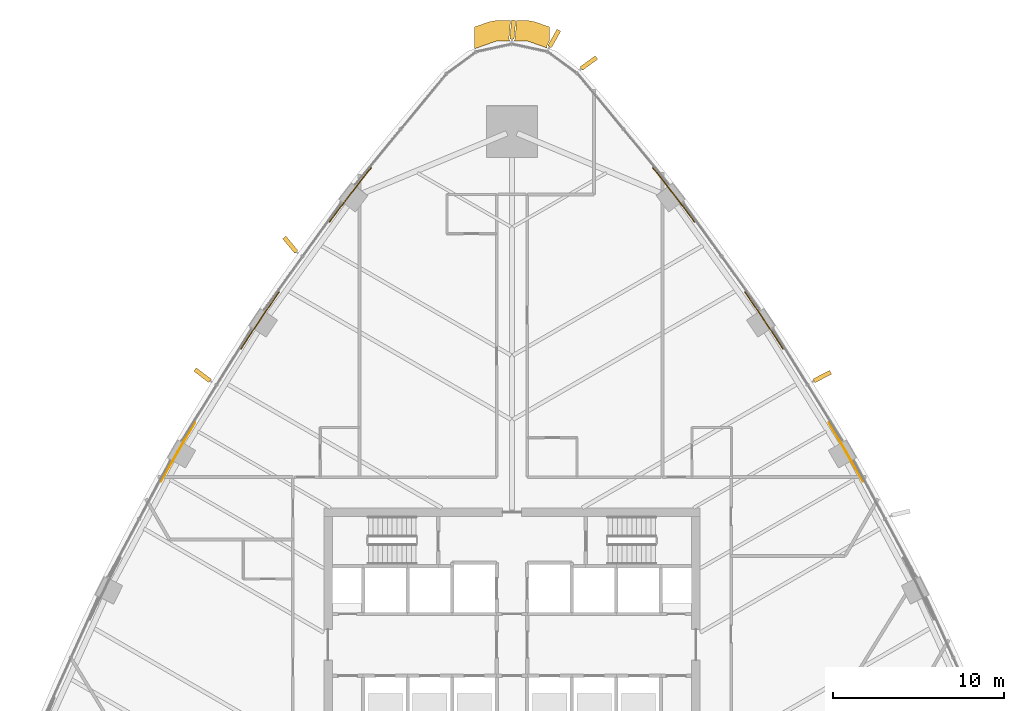
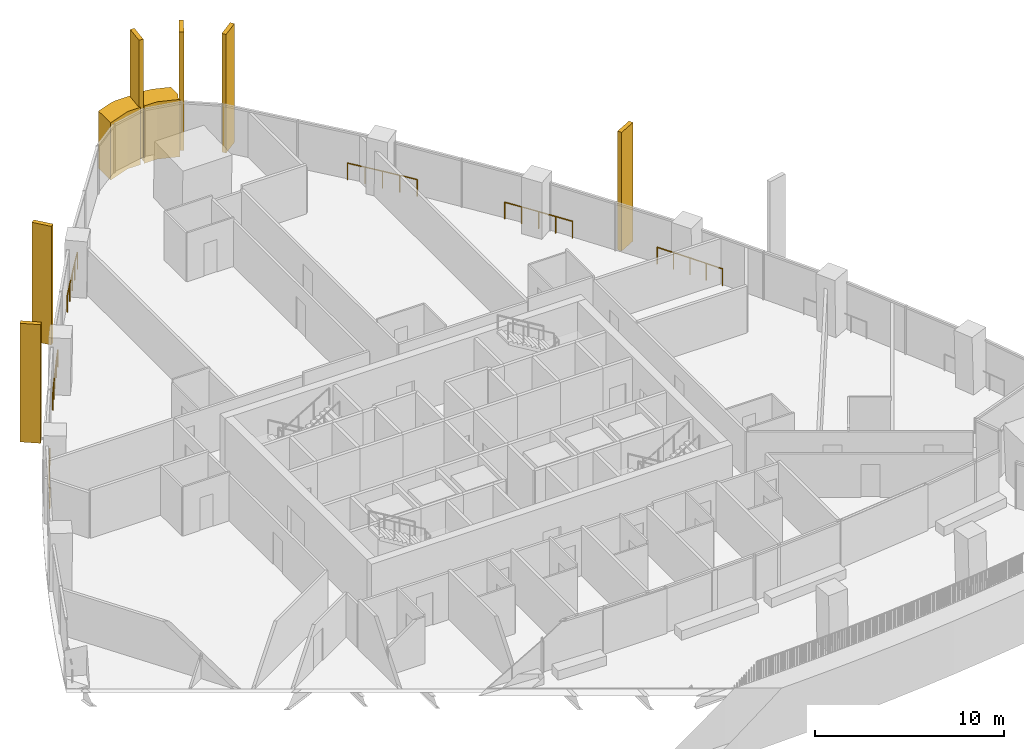
# One storey, part 24 of 25: 8 coverings, 6 railings.
"""IFC4 building model written with IfcOpenShell, lengths in metres."""

from ifc_helpers import new_model, si_unit, direction, frame, origin, origin_2d, place, context, subcontext, project, spatial, polyline, rectangle, circle, outline, extrude, material, layer, layer_set, material_profile, profile_set, type_object, element, save


model = new_model("IFC4")

# Units and contexts
model_context = context("Model", 3, precision=1e-05, world=origin(), true_north=direction((0.0, 1.0)))
body_context = subcontext(model_context, "Body", "Model", "MODEL_VIEW")
ifc_project = project(units=[si_unit("LENGTHUNIT", "METRE"), si_unit("AREAUNIT", "SQUARE_METRE"), si_unit("VOLUMEUNIT", "CUBIC_METRE"), si_unit("PLANEANGLEUNIT", "RADIAN"), si_unit("MASSUNIT", "GRAM", prefix="KILO")], contexts=[model_context])

# Site, building, storey
site_placement = place(None, origin())
site = spatial("IfcSite", under=ifc_project, at=site_placement, CompositionType="ELEMENT")
building_placement = place(site_placement, origin())
building = spatial("IfcBuilding", under=site, at=building_placement, Name="Sierra Prisma Convention Tower", CompositionType="ELEMENT")
storey_placement = place(building_placement, frame((0.0, 0.0, 88.699951171875)))
storey = spatial("IfcBuildingStorey", under=building, at=storey_placement, Name="L18", CompositionType="ELEMENT", Elevation=88.699951171875)

# Coverings
ifc_material_1 = material(Name="Aluminium composite bronze anodised", Category="aluminium")
ifc_layer = layer(ifc_material_1, 1.199951171875)
ifc_layer_set = layer_set([ifc_layer], Name="Bronze corner pier")
covering_type_1 = type_object("IfcCoveringType", Name="Bronze corner pier", PredefinedType="CLADDING", material=ifc_layer_set)
covering_1_placement = place(storey_placement, frame((0.0, 0.0, -0.599853515625)))
element("IfcCovering", 1, at=covering_1_placement, inside=storey, type_object=covering_type_1, Name="Corner pier N L18.1", PredefinedType="CLADDING", context=body_context, shape_type="SweptSolid", body=[
    extrude(outline(polyline([(2.040283203125, 35.02392578125), (2.0400390625, 35.019287109375), (2.0400390625, 35.0146484375), (2.040283203125, 35.010009765625), (2.05859375, 34.877685546875), (0.901611328125, 35.285888671875), (0.110595703125, 35.285888671875), (0.165771484375, 35.36669921875), (0.16845703125, 35.37109375), (0.170654296875, 35.375732421875), (0.17236328125, 35.380615234375), (0.173583984375, 35.385498046875), (0.17431640625, 35.390625), (0.270263671875, 36.48583984375), (0.901611328125, 36.48583984375), (1.301025390625, 36.41748046875), (2.199951171875, 36.100341796875), (2.199951171875, 35.313720703125), (2.04638671875, 35.04150390625), (2.044189453125, 35.037353515625), (2.04248046875, 35.032958984375), (2.041259765625, 35.028564453125), (2.040283203125, 35.02392578125)])), origin(), (0.0, 0.0, 1.0), 3.699951171875),
])
covering_2_placement = place(storey_placement, frame((0.0, 0.0, -0.599853515625)))
element("IfcCovering", 2, at=covering_2_placement, inside=storey, type_object=covering_type_1, Name="Corner pier N L18.2", PredefinedType="CLADDING", context=body_context, shape_type="SweptSolid", body=[
    extrude(outline(polyline([(-0.901611328125, 36.48583984375), (-0.081298828125, 36.48583984375), (-0.17431640625, 35.421142578125), (-0.174560546875, 35.416015625), (-0.17431640625, 35.4111328125), (-0.17333984375, 35.406005859375), (-0.172119140625, 35.401123046875), (-0.170166015625, 35.396484375), (-0.16796875, 35.39208984375), (-0.107421875, 35.285888671875), (-0.901611328125, 35.285888671875), (-2.199951171875, 34.827880859375), (-2.199951171875, 36.100341796875), (-1.301025390625, 36.41748046875), (-0.901611328125, 36.48583984375)])), origin(), (0.0, 0.0, 1.0), 3.699951171875),
])
ifc_material_2 = material(Name="Aluminium 6063-T6 bronze anodised", Category="aluminium")
ifc_material_profile = material_profile(ifc_material_2, rectangle(XDim=1.10009765625, YDim=0.25, at=origin_2d()), Name="ALU FIN 1100x250")
ifc_profile_set = profile_set([ifc_material_profile], Name="Aluminium 6063-T6 bronze anodised")
covering_type_2 = type_object("IfcCoveringType", Name="Bronze facade fin", PredefinedType="CLADDING", material=ifc_profile_set)
for number, where, z_axis, x_axis, name in (
    (3, (18.134033203125, 15.67578125, -0.300048828125), (0.0, 0.0, 1.0), (0.890699837052, 0.454591905202, 0.0), "Fin L18.10"),
    (4, (4.493408203125, 33.998291015625, -0.300048828125), (0.0, 0.0, 1.0), (0.807647460398, 0.589665650782, 0.0), "Fin L18.17"),
    (5, (2.468994140625, 35.4345703125, -0.300048828125), (0.0, 0.0, 1.0), (0.491410886801, 0.870927861728, 0.0), "Fin L18.18"),
    (6, (0.0478515625, 35.953857421875, -0.300048828125), (0.0, 0.0, 1.0), (0.087155742748, 0.996194698092, 0.0), "Fin L18.19"),
    (7, (-12.95556640625, 23.382568359375, -0.300048828125), (0.0, 0.0, 1.0), (-0.638760198202, 0.769405880659, 0.0), "Fin L18.25"),
    (8, (-18.083251953125, 15.7568359375, -0.300048828125), (0.0, 0.0, 1.0), (-0.798229049215, 0.602354036252, 0.0), "Fin L18.28"),
):
    element("IfcCovering", number, at=place(storey_placement, frame(where, z_axis=z_axis, x_axis=x_axis)), inside=storey, type_object=covering_type_2, Name=name, ObjectType="FIN", PredefinedType="CLADDING", context=body_context, shape_type="SweptSolid", body=[
        extrude(rectangle(XDim=1.10009765625, YDim=0.25, at=origin_2d()), origin(), (0.0, 0.0, 1.0), 7.650146484375),
    ])

# Railings
ifc_material_3 = material(Name="Bronze anodised aluminium", Category="aluminium")
railing_type = type_object("IfcRailingType", Name="Facade guard 1100", PredefinedType="GUARDRAIL", material=ifc_material_3)
railing_1_placement = place(storey_placement, frame((20.515625, 9.53857421875, 0.0)))
element("IfcRailing", 9, at=railing_1_placement, inside=storey, type_object=railing_type, Name="Facade guard", PredefinedType="GUARDRAIL", context=body_context, shape_type="SweptSolid", body=[
    extrude(circle(Radius=0.02392578125, at=origin_2d()), frame((0.0, 0.0, 1.076171875), z_axis=(-0.493018760773, 0.870018678837, 0.0), x_axis=(-0.870018678837, -0.493018760773, 0.0)), (0.0, 0.0, 1.0), 0.995361328125),
    extrude(circle(Radius=0.02392578125, at=origin_2d()), frame((-0.49072265625, 0.865966796875, 1.076171875), z_axis=(-0.49397576247, 0.869475673088, 0.0), x_axis=(-0.869475673088, -0.49397576247, 0.0)), (0.0, 0.0, 1.0), 0.997314453125),
    extrude(circle(Radius=0.02392578125, at=origin_2d()), frame((-0.9833984375, 1.733154296875, 1.076171875), z_axis=(-0.506153056556, 0.862443669661, 0.0), x_axis=(-0.862443669661, -0.506153056556, 0.0)), (0.0, 0.0, 1.0), 0.9970703125),
    extrude(circle(Radius=0.02392578125, at=origin_2d()), frame((-1.488037109375, 2.593017578125, 1.076171875), z_axis=(-0.506612850258, 0.862173659974, 0.0), x_axis=(-0.862173659974, -0.506612850258, 0.0)), (0.0, 0.0, 1.0), 0.99560546875),
    extrude(circle(Radius=0.02099609375, at=origin_2d()), origin(), (0.0, 0.0, 1.0), 1.052001953125),
    extrude(circle(Radius=0.02099609375, at=origin_2d()), frame((-0.49072265625, 0.865966796875, 0.0)), (0.0, 0.0, 1.0), 1.052001953125),
    extrude(circle(Radius=0.02099609375, at=origin_2d()), frame((-0.9833984375, 1.733154296875, 0.0)), (0.0, 0.0, 1.0), 1.052001953125),
    extrude(circle(Radius=0.02099609375, at=origin_2d()), frame((-1.488037109375, 2.593017578125, 0.0)), (0.0, 0.0, 1.0), 1.052001953125),
    extrude(circle(Radius=0.02099609375, at=origin_2d()), frame((-1.992431640625, 3.451416015625, 0.0)), (0.0, 0.0, 1.0), 1.052001953125),
])
railing_2_placement = place(storey_placement, frame((15.84228515625, 17.29150390625, 0.0)))
element("IfcRailing", 10, at=railing_2_placement, inside=storey, type_object=railing_type, Name="Facade guard", PredefinedType="GUARDRAIL", context=body_context, shape_type="SweptSolid", body=[
    extrude(circle(Radius=0.02392578125, at=origin_2d()), frame((0.0, 0.0, 1.076171875), z_axis=(-0.545885701249, 0.837859654818, 0.0), x_axis=(-0.837859654818, -0.545885701249, 0.0)), (0.0, 0.0, 1.0), 0.994140625),
    extrude(circle(Radius=0.02392578125, at=origin_2d()), frame((-0.542724609375, 0.8330078125, 1.076171875), z_axis=(-0.554531137585, 0.832162975293, 0.0), x_axis=(-0.832162975293, -0.554531137585, 0.0)), (0.0, 0.0, 1.0), 0.999755859375),
    extrude(circle(Radius=0.02392578125, at=origin_2d()), frame((-1.09716796875, 1.6650390625, 1.076171875), z_axis=(-0.558490079828, 0.829511199885, 0.0), x_axis=(-0.829511199885, -0.558490079828, 0.0)), (0.0, 0.0, 1.0), 0.994384765625),
    extrude(circle(Radius=0.02392578125, at=origin_2d()), frame((-1.652587890625, 2.489990234375, 1.076171875), z_axis=(-0.56619719149, 0.824269822539, 0.0), x_axis=(-0.824269822539, -0.56619719149, 0.0)), (0.0, 0.0, 1.0), 1.0),
    extrude(circle(Radius=0.02099609375, at=origin_2d()), origin(), (0.0, 0.0, 1.0), 1.052001953125),
    extrude(circle(Radius=0.02099609375, at=origin_2d()), frame((-0.542724609375, 0.8330078125, 0.0)), (0.0, 0.0, 1.0), 1.052001953125),
    extrude(circle(Radius=0.02099609375, at=origin_2d()), frame((-1.09716796875, 1.6650390625, 0.0)), (0.0, 0.0, 1.0), 1.052001953125),
    extrude(circle(Radius=0.02099609375, at=origin_2d()), frame((-1.652587890625, 2.489990234375, 0.0)), (0.0, 0.0, 1.0), 1.052001953125),
    extrude(circle(Radius=0.02099609375, at=origin_2d()), frame((-2.21875, 3.314208984375, 0.0)), (0.0, 0.0, 1.0), 1.052001953125),
])
railing_3_placement = place(storey_placement, frame((10.66796875, 24.717529296875, 0.0)))
element("IfcRailing", 11, at=railing_3_placement, inside=storey, type_object=railing_type, Name="Facade guard", PredefinedType="GUARDRAIL", context=body_context, shape_type="SweptSolid", body=[
    extrude(circle(Radius=0.02392578125, at=origin_2d()), frame((0.0, 0.0, 1.076171875), z_axis=(-0.601015041591, 0.799237711686, 0.0), x_axis=(-0.799237711686, -0.601015041591, 0.0)), (0.0, 0.0, 1.0), 1.0),
    extrude(circle(Radius=0.02392578125, at=origin_2d()), frame((-0.60107421875, 0.79931640625, 1.076171875), z_axis=(-0.608024189866, 0.793918499934, 0.0), x_axis=(-0.793918499934, -0.608024189866, 0.0)), (0.0, 0.0, 1.0), 0.994140625),
    extrude(circle(Radius=0.02392578125, at=origin_2d()), frame((-1.20556640625, 1.588623046875, 1.076171875), z_axis=(-0.612232273632, 0.790677964233, 0.0), x_axis=(-0.790677964233, -0.612232273632, 0.0)), (0.0, 0.0, 1.0), 1.0),
    extrude(circle(Radius=0.02392578125, at=origin_2d()), frame((-1.81787109375, 2.37939453125, 1.076171875), z_axis=(-0.620193423289, 0.784448926132, 0.0), x_axis=(-0.784448926132, -0.620193423289, 0.0)), (0.0, 0.0, 1.0), 0.994384765625),
    extrude(circle(Radius=0.02099609375, at=origin_2d()), origin(), (0.0, 0.0, 1.0), 1.052001953125),
    extrude(circle(Radius=0.02099609375, at=origin_2d()), frame((-0.60107421875, 0.79931640625, 0.0)), (0.0, 0.0, 1.0), 1.052001953125),
    extrude(circle(Radius=0.02099609375, at=origin_2d()), frame((-1.20556640625, 1.588623046875, 0.0)), (0.0, 0.0, 1.0), 1.052001953125),
    extrude(circle(Radius=0.02099609375, at=origin_2d()), frame((-1.81787109375, 2.37939453125, 0.0)), (0.0, 0.0, 1.0), 1.052001953125),
    extrude(circle(Radius=0.02099609375, at=origin_2d()), frame((-2.4345703125, 3.159423828125, 0.0)), (0.0, 0.0, 1.0), 1.052001953125),
])
railing_4_placement = place(storey_placement, frame((-8.2333984375, 27.876953125, 0.0)))
element("IfcRailing", 12, at=railing_4_placement, inside=storey, type_object=railing_type, Name="Facade guard", PredefinedType="GUARDRAIL", context=body_context, shape_type="SweptSolid", body=[
    extrude(circle(Radius=0.02392578125, at=origin_2d()), frame((0.0, 0.0, 1.076171875), z_axis=(-0.620193423289, -0.784448926132, 0.0), x_axis=(0.784448926132, -0.620193423289, 0.0)), (0.0, 0.0, 1.0), 0.994384765625),
    extrude(circle(Radius=0.02392578125, at=origin_2d()), frame((-0.61669921875, -0.780029296875, 1.076171875), z_axis=(-0.612232273632, -0.790677964233, 0.0), x_axis=(0.790677964233, -0.612232273632, 0.0)), (0.0, 0.0, 1.0), 1.0),
    extrude(circle(Radius=0.02392578125, at=origin_2d()), frame((-1.22900390625, -1.57080078125, 1.076171875), z_axis=(-0.608024189866, -0.793918499934, 0.0), x_axis=(0.793918499934, -0.608024189866, 0.0)), (0.0, 0.0, 1.0), 0.994140625),
    extrude(circle(Radius=0.02392578125, at=origin_2d()), frame((-1.83349609375, -2.360107421875, 1.076171875), z_axis=(-0.601015041591, -0.799237711686, 0.0), x_axis=(0.799237711686, -0.601015041591, 0.0)), (0.0, 0.0, 1.0), 1.0),
    extrude(circle(Radius=0.02099609375, at=origin_2d()), origin(), (0.0, 0.0, 1.0), 1.052001953125),
    extrude(circle(Radius=0.02099609375, at=origin_2d()), frame((-0.61669921875, -0.780029296875, 0.0)), (0.0, 0.0, 1.0), 1.052001953125),
    extrude(circle(Radius=0.02099609375, at=origin_2d()), frame((-1.22900390625, -1.57080078125, 0.0)), (0.0, 0.0, 1.0), 1.052001953125),
    extrude(circle(Radius=0.02099609375, at=origin_2d()), frame((-1.83349609375, -2.360107421875, 0.0)), (0.0, 0.0, 1.0), 1.052001953125),
    extrude(circle(Radius=0.02099609375, at=origin_2d()), frame((-2.4345703125, -3.159423828125, 0.0)), (0.0, 0.0, 1.0), 1.052001953125),
])
railing_5_placement = place(storey_placement, frame((-13.62353515625, 20.605712890625, 0.0)))
element("IfcRailing", 13, at=railing_5_placement, inside=storey, type_object=railing_type, Name="Facade guard", PredefinedType="GUARDRAIL", context=body_context, shape_type="SweptSolid", body=[
    extrude(circle(Radius=0.02392578125, at=origin_2d()), frame((0.0, 0.0, 1.076171875), z_axis=(-0.56619719149, -0.824269822539, 0.0), x_axis=(0.824269822539, -0.56619719149, 0.0)), (0.0, 0.0, 1.0), 1.0),
    extrude(circle(Radius=0.02392578125, at=origin_2d()), frame((-0.566162109375, -0.82421875, 1.076171875), z_axis=(-0.558490079828, -0.829511199885, 0.0), x_axis=(0.829511199885, -0.558490079828, 0.0)), (0.0, 0.0, 1.0), 0.994384765625),
    extrude(circle(Radius=0.02392578125, at=origin_2d()), frame((-1.12158203125, -1.649169921875, 1.076171875), z_axis=(-0.554531137585, -0.832162975293, 0.0), x_axis=(0.832162975293, -0.554531137585, 0.0)), (0.0, 0.0, 1.0), 0.999755859375),
    extrude(circle(Radius=0.02392578125, at=origin_2d()), frame((-1.676025390625, -2.481201171875, 1.076171875), z_axis=(-0.545885701249, -0.837859654818, 0.0), x_axis=(0.837859654818, -0.545885701249, 0.0)), (0.0, 0.0, 1.0), 0.994140625),
    extrude(circle(Radius=0.02099609375, at=origin_2d()), origin(), (0.0, 0.0, 1.0), 1.052001953125),
    extrude(circle(Radius=0.02099609375, at=origin_2d()), frame((-0.566162109375, -0.82421875, 0.0)), (0.0, 0.0, 1.0), 1.052001953125),
    extrude(circle(Radius=0.02099609375, at=origin_2d()), frame((-1.12158203125, -1.649169921875, 0.0)), (0.0, 0.0, 1.0), 1.052001953125),
    extrude(circle(Radius=0.02099609375, at=origin_2d()), frame((-1.676025390625, -2.481201171875, 0.0)), (0.0, 0.0, 1.0), 1.052001953125),
    extrude(circle(Radius=0.02099609375, at=origin_2d()), frame((-2.21875, -3.314208984375, 0.0)), (0.0, 0.0, 1.0), 1.052001953125),
])
railing_6_placement = place(storey_placement, frame((-18.523193359375, 12.989990234375, 0.0)))
element("IfcRailing", 14, at=railing_6_placement, inside=storey, type_object=railing_type, Name="Facade guard", PredefinedType="GUARDRAIL", context=body_context, shape_type="SweptSolid", body=[
    extrude(circle(Radius=0.02392578125, at=origin_2d()), frame((0.0, 0.0, 1.076171875), z_axis=(-0.506612850258, -0.862173659974, 0.0), x_axis=(0.862173659974, -0.506612850258, 0.0)), (0.0, 0.0, 1.0), 0.99560546875),
    extrude(circle(Radius=0.02392578125, at=origin_2d()), frame((-0.50439453125, -0.8583984375, 1.076171875), z_axis=(-0.506153056556, -0.862443669661, 0.0), x_axis=(0.862443669661, -0.506153056556, 0.0)), (0.0, 0.0, 1.0), 0.9970703125),
    extrude(circle(Radius=0.02392578125, at=origin_2d()), frame((-1.009033203125, -1.71826171875, 1.076171875), z_axis=(-0.49397576247, -0.869475673088, 0.0), x_axis=(0.869475673088, -0.49397576247, 0.0)), (0.0, 0.0, 1.0), 0.997314453125),
    extrude(circle(Radius=0.02392578125, at=origin_2d()), frame((-1.501708984375, -2.58544921875, 1.076171875), z_axis=(-0.493018760773, -0.870018678837, 0.0), x_axis=(0.870018678837, -0.493018760773, 0.0)), (0.0, 0.0, 1.0), 0.995361328125),
    extrude(circle(Radius=0.02099609375, at=origin_2d()), origin(), (0.0, 0.0, 1.0), 1.052001953125),
    extrude(circle(Radius=0.02099609375, at=origin_2d()), frame((-0.50439453125, -0.8583984375, 0.0)), (0.0, 0.0, 1.0), 1.052001953125),
    extrude(circle(Radius=0.02099609375, at=origin_2d()), frame((-1.009033203125, -1.71826171875, 0.0)), (0.0, 0.0, 1.0), 1.052001953125),
    extrude(circle(Radius=0.02099609375, at=origin_2d()), frame((-1.501708984375, -2.58544921875, 0.0)), (0.0, 0.0, 1.0), 1.052001953125),
    extrude(circle(Radius=0.02099609375, at=origin_2d()), frame((-1.992431640625, -3.451416015625, 0.0)), (0.0, 0.0, 1.0), 1.052001953125),
])

save(model, "model.ifc")
